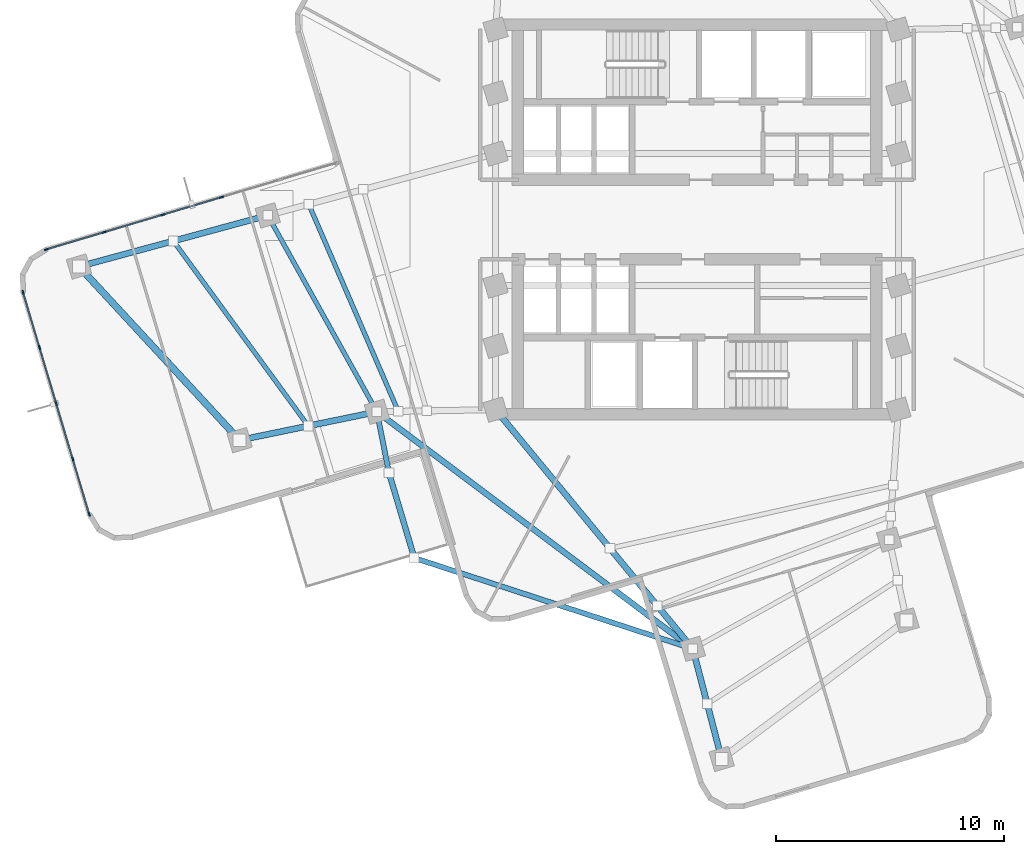
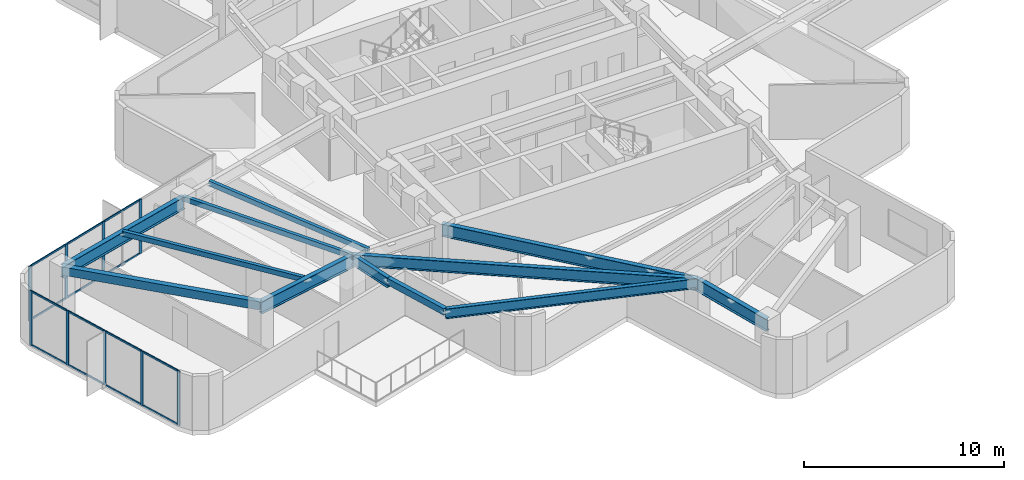
# One storey, part 2 of 11: 23 members, 12 beams, 2 elements without a shape of their own.
"""IFC4 building model written with IfcOpenShell, lengths in metres."""

from ifc_helpers import new_model, si_unit, direction, frame, origin, origin_2d, place, context, subcontext, project, spatial, rectangle, hollow_rectangle, i_section, extrude, material, layer, layer_set, material_profile, profile_set, type_object, element, aggregate, save


model = new_model("IFC4")

# Units and contexts
model_context = context("Model", 3, precision=1e-05, world=origin(), true_north=direction((0.0, 1.0)))
body_context = subcontext(model_context, "Body", "Model", "MODEL_VIEW")
ifc_project = project(units=[si_unit("LENGTHUNIT", "METRE"), si_unit("AREAUNIT", "SQUARE_METRE"), si_unit("VOLUMEUNIT", "CUBIC_METRE"), si_unit("PLANEANGLEUNIT", "RADIAN"), si_unit("MASSUNIT", "GRAM", prefix="KILO")], contexts=[model_context])

# Site, building, storey
site_placement = place(None, origin())
site = spatial("IfcSite", under=ifc_project, at=site_placement, CompositionType="ELEMENT")
building_placement = place(site_placement, origin())
building = spatial("IfcBuilding", under=site, at=building_placement, Name="Solmarez Civic Tower", CompositionType="ELEMENT")
storey_placement = place(building_placement, frame((0.0, 0.0, 141.47998046875)))
storey = spatial("IfcBuildingStorey", under=building, at=storey_placement, Name="L37", CompositionType="ELEMENT", Elevation=141.47998046875)

# Beams
ifc_material_1 = material(Name="Steel S355", Category="steel")
ifc_material_profile_1 = material_profile(ifc_material_1, hollow_rectangle(XDim=0.199951171875, YDim=0.300048828125, WallThickness=0.011962890625, at=origin_2d()), Name="HSS300X200X12")
ifc_profile_set_1 = profile_set([ifc_material_profile_1], Name="Steel S355")
beam_type_1 = type_object("IfcBeamType", Name="BM-JS-HSS300X200", PredefinedType="JOIST", material=ifc_profile_set_1)
beam_1_placement = place(storey_placement, frame((-18.860107421875, 0.18310546875, 3.169921875), z_axis=(0.485852902718, -0.874040592261, 0.0), x_axis=(0.874040592261, 0.485852902718, 0.0)))
element("IfcBeam", 1, at=beam_1_placement, inside=storey, type_object=beam_type_1, Name="L37 Secondary Floor Joist BM-L37-WA-T1", PredefinedType="JOIST", context=body_context, shape_type="SweptSolid", body=[
    extrude(hollow_rectangle(XDim=0.199951171875, YDim=0.300048828125, WallThickness=0.011962890625, at=origin_2d()), origin(), (0.0, 0.0, 1.0), 9.87158203125),
])
beam_2_placement = place(storey_placement, frame((-23.006103515625, -0.94091796875, 3.169921875), z_axis=(0.589058914091, -0.808090091345, 0.0), x_axis=(0.808090091345, 0.589058914091, 0.0)))
element("IfcBeam", 2, at=beam_2_placement, inside=storey, type_object=beam_type_1, Name="L37 Secondary Floor Joist JS-L37-WA-M2", PredefinedType="JOIST", context=body_context, shape_type="SweptSolid", body=[
    extrude(hollow_rectangle(XDim=0.199951171875, YDim=0.300048828125, WallThickness=0.011962890625, at=origin_2d()), origin(), (0.0, 0.0, 1.0), 10.05859375),
])
beam_3_placement = place(storey_placement, frame((-17.05810546875, 0.672119140625, 3.169921875), z_axis=(0.396735074316, -0.917933157048, 0.0), x_axis=(0.917933157048, 0.396735074316, 0.0)))
element("IfcBeam", 3, at=beam_3_placement, inside=storey, type_object=beam_type_1, Name="L37 Secondary Floor Joist JS-L37-WA-M12", PredefinedType="JOIST", context=body_context, shape_type="SweptSolid", body=[
    extrude(hollow_rectangle(XDim=0.199951171875, YDim=0.300048828125, WallThickness=0.011962890625, at=origin_2d()), origin(), (0.0, 0.0, 1.0), 9.91357421875),
])
ifc_material_profile_2 = material_profile(ifc_material_1, i_section(OverallWidth=0.25390625, OverallDepth=0.68798828125, WebThickness=0.01318359375, FlangeThickness=0.02099609375, at=origin_2d()), Name="W27X102")
ifc_profile_set_2 = profile_set([ifc_material_profile_2], Name="Steel S355")
beam_type_2 = type_object("IfcBeamType", Name="BM-PR-W27X102", PredefinedType="BEAM", material=ifc_profile_set_2)
beam_4_placement = place(storey_placement, frame((-14.06396484375, -8.445068359375, 2.97607421875), z_axis=(0.799878431775, -0.600162056766, 0.0), x_axis=(0.600162056766, 0.799878431775, 0.0)))
element("IfcBeam", 4, at=beam_4_placement, inside=storey, type_object=beam_type_2, Name="L37 Primary Floor Beam BM-L37-BALC-SWC", PredefinedType="BEAM", context=body_context, shape_type="SweptSolid", body=[
    extrude(i_section(OverallWidth=0.25390625, OverallDepth=0.68798828125, WebThickness=0.01318359375, FlangeThickness=0.02099609375, at=origin_2d()), origin(), (0.0, 0.0, 1.0), 17.353759765625),
])
ifc_material_profile_3 = material_profile(ifc_material_1, i_section(OverallWidth=0.26708984375, OverallDepth=0.761962890625, WebThickness=0.014404296875, FlangeThickness=0.021484375, at=origin_2d()), Name="W30X116")
ifc_profile_set_3 = profile_set([ifc_material_profile_3], Name="Steel S355")
beam_type_3 = type_object("IfcBeamType", Name="BM-PR-W30X116", PredefinedType="BEAM", material=ifc_profile_set_3)
beam_5_placement = place(storey_placement, frame((-18.860107421875, 0.18310546875, 2.93896484375), z_axis=(-0.965195296066, -0.261530190326, 0.0), x_axis=(0.261530190326, -0.965195296066, 0.0)))
element("IfcBeam", 5, at=beam_5_placement, inside=storey, type_object=beam_type_3, Name="L37 Primary Floor Beam BM-L37-WA-R2A", PredefinedType="BEAM", context=body_context, shape_type="SweptSolid", body=[
    extrude(i_section(OverallWidth=0.26708984375, OverallDepth=0.761962890625, WebThickness=0.014404296875, FlangeThickness=0.021484375, at=origin_2d()), origin(), (0.0, 0.0, 1.0), 8.592041015625),
])
beam_6_placement = place(storey_placement, frame((-14.06396484375, -8.445068359375, 2.93896484375), z_axis=(-0.979311082476, -0.202360578523, 0.0), x_axis=(0.202360578523, -0.979311082476, 0.0)))
element("IfcBeam", 6, at=beam_6_placement, inside=storey, type_object=beam_type_3, Name="L37 Primary Floor Beam BM-L37-WA-R2B", PredefinedType="BEAM", context=body_context, shape_type="SweptSolid", body=[
    extrude(i_section(OverallWidth=0.26708984375, OverallDepth=0.761962890625, WebThickness=0.014404296875, FlangeThickness=0.021484375, at=origin_2d()), origin(), (0.0, 0.0, 1.0), 6.161376953125),
])
beam_7_placement = place(storey_placement, frame((-8.85009765625, -8.35009765625, 2.93896484375), z_axis=(0.636218453069, -0.77150896299, 0.0), x_axis=(0.77150896299, 0.636218453069, 0.0)))
element("IfcBeam", 7, at=beam_7_placement, inside=storey, type_object=beam_type_3, Name="L37 Primary Floor Beam BM-L37-SA-R1A", PredefinedType="BEAM", context=body_context, shape_type="SweptSolid", body=[
    extrude(i_section(OverallWidth=0.26708984375, OverallDepth=0.761962890625, WebThickness=0.014404296875, FlangeThickness=0.021484375, at=origin_2d()), origin(), (0.0, 0.0, 1.0), 13.62255859375),
])
beam_8_placement = place(storey_placement, frame((-0.18310546875, -18.860107421875, 2.93896484375), z_axis=(0.253228832632, -0.967406408043, 0.0), x_axis=(0.967406408043, 0.253228832632, 0.0)))
element("IfcBeam", 8, at=beam_8_placement, inside=storey, type_object=beam_type_3, Name="L37 Primary Floor Beam BM-L37-SA-R2A", PredefinedType="BEAM", context=body_context, shape_type="SweptSolid", body=[
    extrude(i_section(OverallWidth=0.26708984375, OverallDepth=0.761962890625, WebThickness=0.014404296875, FlangeThickness=0.021484375, at=origin_2d()), origin(), (0.0, 0.0, 1.0), 5.0),
])
ifc_material_profile_4 = material_profile(ifc_material_1, hollow_rectangle(XDim=0.25, YDim=0.39990234375, WallThickness=0.01611328125, at=origin_2d()), Name="HSS400X250X16")
ifc_profile_set_4 = profile_set([ifc_material_profile_4], Name="Steel S355")
beam_type_4 = type_object("IfcBeamType", Name="BM-SP-HSS400X250", PredefinedType="SPANDREL", material=ifc_profile_set_4)
beam_9_placement = place(storey_placement, frame((-13.533935546875, -11.1298828125, 3.1201171875), z_axis=(0.285607467662, -0.958346688008, 0.0), x_axis=(0.958346688008, 0.285607467662, 0.0)))
element("IfcBeam", 9, at=beam_9_placement, inside=storey, type_object=beam_type_4, Name="L37 Perimeter Spandrel Beam BM-L37-BALC-SWE", PredefinedType="SPANDREL", context=body_context, shape_type="SweptSolid", body=[
    extrude(hollow_rectangle(XDim=0.25, YDim=0.39990234375, WallThickness=0.01611328125, at=origin_2d()), origin(), (0.0, 0.0, 1.0), 3.900390625),
])
ifc_material_profile_5 = material_profile(ifc_material_1, hollow_rectangle(XDim=0.300048828125, YDim=0.5, WallThickness=0.02001953125, at=origin_2d()), Name="HSS500X300X20")
ifc_profile_set_5 = profile_set([ifc_material_profile_5], Name="Steel S355")
beam_type_5 = type_object("IfcBeamType", Name="BM-SP-HSS500X300", PredefinedType="SPANDREL", material=ifc_profile_set_5)
beam_10_placement = place(storey_placement, frame((-27.153076171875, -2.06396484375, 3.070068359375), z_axis=(0.679007792344, -0.734131063187, 0.0), x_axis=(0.734131063187, 0.679007792344, 0.0)))
element("IfcBeam", 10, at=beam_10_placement, inside=storey, type_object=beam_type_5, Name="L37 Perimeter Spandrel Beam BM-L37-WA-T2", PredefinedType="SPANDREL", context=body_context, shape_type="SweptSolid", body=[
    extrude(hollow_rectangle(XDim=0.300048828125, YDim=0.5, WallThickness=0.02001953125, at=origin_2d()), origin(), (0.0, 0.0, 1.0), 10.390380859375),
])
ifc_material_profile_6 = material_profile(ifc_material_1, i_section(OverallWidth=0.22900390625, OverallDepth=0.612060546875, WebThickness=0.011962890625, FlangeThickness=0.01953125, at=origin_2d()), Name="W24X84")
ifc_profile_set_6 = profile_set([ifc_material_profile_6], Name="Steel S355")
beam_type_6 = type_object("IfcBeamType", Name="BM-SP-W24X84", PredefinedType="SPANDREL", material=ifc_profile_set_6)
beam_11_placement = place(storey_placement, frame((-14.06396484375, -8.445068359375, 3.013916015625), z_axis=(0.19367935475, -0.981064884472, 0.0), x_axis=(0.981064884472, 0.19367935475, 0.0)))
element("IfcBeam", 11, at=beam_11_placement, inside=storey, type_object=beam_type_6, Name="L37 Perimeter Spandrel Beam BM-L37-BALC-SW1", PredefinedType="SPANDREL", context=body_context, shape_type="SweptSolid", body=[
    extrude(i_section(OverallWidth=0.22900390625, OverallDepth=0.612060546875, WebThickness=0.011962890625, FlangeThickness=0.01953125, at=origin_2d()), origin(), (0.0, 0.0, 1.0), 2.736572265625),
])
beam_12_placement = place(storey_placement, frame((-0.18310546875, -18.860107421875, 3.013916015625), z_axis=(-0.950685834531, 0.310155515866, 0.0), x_axis=(-0.310155515866, -0.950685834531, 0.0)))
element("IfcBeam", 12, at=beam_12_placement, inside=storey, type_object=beam_type_6, Name="L37 Perimeter Spandrel Beam BM-L37-BALC-SW2", PredefinedType="SPANDREL", context=body_context, shape_type="SweptSolid", body=[
    extrude(i_section(OverallWidth=0.22900390625, OverallDepth=0.612060546875, WebThickness=0.011962890625, FlangeThickness=0.01953125, at=origin_2d()), origin(), (0.0, 0.0, 1.0), 12.87158203125),
])

# Curtain wall, members
ifc_material_2 = material(Name="Bronze Anodised Aluminium EN AW-6063 T6", Category="aluminium")
ifc_layer = layer(ifc_material_2, 0.155029296875)
ifc_layer_set = layer_set([ifc_layer], Name="Bronze Anodised Aluminium EN AW-6063 T6")
curtain_wall_type = type_object("IfcCurtainWallType", Name="CW-SYS-6", PredefinedType="NOTDEFINED", material=ifc_layer_set)
curtain_wall_1_placement = place(storey_placement, origin())
curtain_wall_1 = element("IfcCurtainWall", 13, at=curtain_wall_1_placement, inside=storey, type_object=curtain_wall_type, Name="L37 Stick-Built Curtain Wall 1", PredefinedType="NOTDEFINED")
ifc_material_profile_7 = material_profile(ifc_material_2, rectangle(XDim=0.070068359375, YDim=0.179931640625, at=origin_2d()), Name="CWM-70X180")
ifc_profile_set_7 = profile_set([ifc_material_profile_7], Name="Bronze Anodised Aluminium EN AW-6063 T6")
member_type_1 = type_object("IfcMemberType", Name="CWM-TYPE-2", PredefinedType="MULLION", material=ifc_profile_set_7)
member_1_placement = place(storey_placement, frame((-26.705078125, -12.944580078125, 0.0), z_axis=(0.0, 0.0, 1.0), x_axis=(-0.958314031615, -0.285717022263, 0.0)))
member_1 = element("IfcMember", 14, at=member_1_placement, type_object=member_type_1, Name="CWS6 mullion 1", PredefinedType="MULLION", context=body_context, shape_type="SweptSolid", body=[
    extrude(rectangle(XDim=0.070068359375, YDim=0.179931640625, at=origin_2d()), origin(), (0.0, 0.0, 1.0), 3.320068359375),
])
member_2_placement = place(storey_placement, frame((-27.426513671875, -10.5244140625, 0.0), z_axis=(0.0, 0.0, 1.0), x_axis=(-0.958314031615, -0.285717022263, 0.0)))
member_2 = element("IfcMember", 15, at=member_2_placement, type_object=member_type_1, Name="CWS6 mullion 2", PredefinedType="MULLION", context=body_context, shape_type="SweptSolid", body=[
    extrude(rectangle(XDim=0.070068359375, YDim=0.179931640625, at=origin_2d()), origin(), (0.0, 0.0, 1.0), 3.320068359375),
])
member_3_placement = place(storey_placement, frame((-28.157958984375, -8.071044921875, 0.0), z_axis=(0.0, 0.0, 1.0), x_axis=(-0.958314031615, -0.285717022263, 0.0)))
member_3 = element("IfcMember", 16, at=member_3_placement, type_object=member_type_1, Name="CWS6 mullion 3", PredefinedType="MULLION", context=body_context, shape_type="SweptSolid", body=[
    extrude(rectangle(XDim=0.070068359375, YDim=0.179931640625, at=origin_2d()), origin(), (0.0, 0.0, 1.0), 3.320068359375),
])
member_4_placement = place(storey_placement, frame((-28.889404296875, -5.617431640625, 0.0), z_axis=(0.0, 0.0, 1.0), x_axis=(-0.958314031615, -0.285717022263, 0.0)))
member_4 = element("IfcMember", 17, at=member_4_placement, type_object=member_type_1, Name="CWS6 mullion 4", PredefinedType="MULLION", context=body_context, shape_type="SweptSolid", body=[
    extrude(rectangle(XDim=0.070068359375, YDim=0.179931640625, at=origin_2d()), origin(), (0.0, 0.0, 1.0), 3.320068359375),
])
member_5_placement = place(storey_placement, frame((-29.611083984375, -3.197509765625, 0.0), z_axis=(0.0, 0.0, 1.0), x_axis=(-0.958314031615, -0.285717022263, 0.0)))
member_5 = element("IfcMember", 18, at=member_5_placement, type_object=member_type_1, Name="CWS6 mullion 5", PredefinedType="MULLION", context=body_context, shape_type="SweptSolid", body=[
    extrude(rectangle(XDim=0.070068359375, YDim=0.179931640625, at=origin_2d()), origin(), (0.0, 0.0, 1.0), 3.320068359375),
])

curtain_wall_2_placement = place(storey_placement, origin())
curtain_wall_2 = element("IfcCurtainWall", 19, at=curtain_wall_2_placement, inside=storey, type_object=curtain_wall_type, Name="L37 Stick-Built Curtain Wall 2", PredefinedType="NOTDEFINED")
member_6_placement = place(storey_placement, frame((-28.592529296875, -1.31298828125, 0.0), z_axis=(0.0, 0.0, 1.0), x_axis=(-0.285615980492, 0.958344150964, 0.0)))
member_6 = element("IfcMember", 20, at=member_6_placement, type_object=member_type_1, Name="CWS6 mullion 1", PredefinedType="MULLION", context=body_context, shape_type="SweptSolid", body=[
    extrude(rectangle(XDim=0.070068359375, YDim=0.179931640625, at=origin_2d()), origin(), (0.0, 0.0, 1.0), 3.320068359375),
])
member_7_placement = place(storey_placement, frame((-26.04638671875, -0.55419921875, 0.0), z_axis=(0.0, 0.0, 1.0), x_axis=(-0.285615980492, 0.958344150964, 0.0)))
member_7 = element("IfcMember", 21, at=member_7_placement, type_object=member_type_1, Name="CWS6 mullion 2", PredefinedType="MULLION", context=body_context, shape_type="SweptSolid", body=[
    extrude(rectangle(XDim=0.070068359375, YDim=0.179931640625, at=origin_2d()), origin(), (0.0, 0.0, 1.0), 3.320068359375),
])
member_8_placement = place(storey_placement, frame((-23.466796875, 0.214599609375, 0.0), z_axis=(0.0, 0.0, 1.0), x_axis=(-0.285615980492, 0.958344150964, 0.0)))
member_8 = element("IfcMember", 22, at=member_8_placement, type_object=member_type_1, Name="CWS6 mullion 3", PredefinedType="MULLION", context=body_context, shape_type="SweptSolid", body=[
    extrude(rectangle(XDim=0.070068359375, YDim=0.179931640625, at=origin_2d()), origin(), (0.0, 0.0, 1.0), 3.320068359375),
])
member_9_placement = place(storey_placement, frame((-20.88720703125, 0.9833984375, 0.0), z_axis=(0.0, 0.0, 1.0), x_axis=(-0.285615980492, 0.958344150964, 0.0)))
member_9 = element("IfcMember", 23, at=member_9_placement, type_object=member_type_1, Name="CWS6 mullion 4", PredefinedType="MULLION", context=body_context, shape_type="SweptSolid", body=[
    extrude(rectangle(XDim=0.070068359375, YDim=0.179931640625, at=origin_2d()), origin(), (0.0, 0.0, 1.0), 3.320068359375),
])

# Member
ifc_material_profile_8 = material_profile(ifc_material_2, rectangle(XDim=0.06005859375, YDim=0.110107421875, at=origin_2d()), Name="CWT-60X110")
ifc_profile_set_8 = profile_set([ifc_material_profile_8], Name="Bronze Anodised Aluminium EN AW-6063 T6")
member_type_2 = type_object("IfcMemberType", Name="CWT-TYPE-3", PredefinedType="USERDEFINED", material=ifc_profile_set_8)
member_10_placement = place(storey_placement, frame((-26.715087890625, -12.910888671875, 0.030029296875), z_axis=(-0.285696177938, 0.95832024601, 0.0), x_axis=(-0.95832024601, -0.285696177938, 0.0)))
member_10 = element("IfcMember", 24, at=member_10_placement, type_object=member_type_2, Name="CWS6 transom 1.1", ObjectType="TRANSOM", PredefinedType="USERDEFINED", context=body_context, shape_type="SweptSolid", body=[
    extrude(rectangle(XDim=0.06005859375, YDim=0.110107421875, at=origin_2d()), origin(), (0.0, 0.0, 1.0), 2.455078125),
])

member_11_placement = place(storey_placement, frame((-26.715087890625, -12.910888671875, 3.2900390625), z_axis=(-0.285696177938, 0.95832024601, 0.0), x_axis=(-0.95832024601, -0.285696177938, 0.0)))
member_11 = element("IfcMember", 25, at=member_11_placement, type_object=member_type_2, Name="CWS6 transom 1.2", ObjectType="TRANSOM", PredefinedType="USERDEFINED", context=body_context, shape_type="SweptSolid", body=[
    extrude(rectangle(XDim=0.06005859375, YDim=0.110107421875, at=origin_2d()), origin(), (0.0, 0.0, 1.0), 2.455078125),
])

member_12_placement = place(storey_placement, frame((-27.4365234375, -10.490966796875, 0.030029296875), z_axis=(-0.285683499791, 0.958324025551, 0.0), x_axis=(-0.958324025551, -0.285683499791, 0.0)))
member_12 = element("IfcMember", 26, at=member_12_placement, type_object=member_type_2, Name="CWS6 transom 2.1", ObjectType="TRANSOM", PredefinedType="USERDEFINED", context=body_context, shape_type="SweptSolid", body=[
    extrude(rectangle(XDim=0.06005859375, YDim=0.110107421875, at=origin_2d()), origin(), (0.0, 0.0, 1.0), 2.490234375),
])

member_13_placement = place(storey_placement, frame((-27.4365234375, -10.490966796875, 3.2900390625), z_axis=(-0.285683499791, 0.958324025551, 0.0), x_axis=(-0.958324025551, -0.285683499791, 0.0)))
member_13 = element("IfcMember", 27, at=member_13_placement, type_object=member_type_2, Name="CWS6 transom 2.2", ObjectType="TRANSOM", PredefinedType="USERDEFINED", context=body_context, shape_type="SweptSolid", body=[
    extrude(rectangle(XDim=0.06005859375, YDim=0.110107421875, at=origin_2d()), origin(), (0.0, 0.0, 1.0), 2.490234375),
])

member_14_placement = place(storey_placement, frame((-28.16796875, -8.037353515625, 0.030029296875), z_axis=(-0.285710342858, 0.958316023024, 0.0), x_axis=(-0.958316023024, -0.285710342858, 0.0)))
member_14 = element("IfcMember", 28, at=member_14_placement, type_object=member_type_2, Name="CWS6 transom 3.1", ObjectType="TRANSOM", PredefinedType="USERDEFINED", context=body_context, shape_type="SweptSolid", body=[
    extrude(rectangle(XDim=0.06005859375, YDim=0.110107421875, at=origin_2d()), origin(), (0.0, 0.0, 1.0), 2.489990234375),
])

member_15_placement = place(storey_placement, frame((-28.16796875, -8.037353515625, 3.2900390625), z_axis=(-0.285710342858, 0.958316023024, 0.0), x_axis=(-0.958316023024, -0.285710342858, 0.0)))
member_15 = element("IfcMember", 29, at=member_15_placement, type_object=member_type_2, Name="CWS6 transom 3.2", ObjectType="TRANSOM", PredefinedType="USERDEFINED", context=body_context, shape_type="SweptSolid", body=[
    extrude(rectangle(XDim=0.06005859375, YDim=0.110107421875, at=origin_2d()), origin(), (0.0, 0.0, 1.0), 2.489990234375),
])

member_16_placement = place(storey_placement, frame((-28.8994140625, -5.583984375, 0.030029296875), z_axis=(-0.28578749914, 0.958293016428, 0.0), x_axis=(-0.958293016428, -0.28578749914, 0.0)))
member_16 = element("IfcMember", 30, at=member_16_placement, type_object=member_type_2, Name="CWS6 transom 4.1", ObjectType="TRANSOM", PredefinedType="USERDEFINED", context=body_context, shape_type="SweptSolid", body=[
    extrude(rectangle(XDim=0.06005859375, YDim=0.110107421875, at=origin_2d()), origin(), (0.0, 0.0, 1.0), 2.455078125),
])

member_17_placement = place(storey_placement, frame((-28.8994140625, -5.583984375, 3.2900390625), z_axis=(-0.28578749914, 0.958293016428, 0.0), x_axis=(-0.958293016428, -0.28578749914, 0.0)))
member_17 = element("IfcMember", 31, at=member_17_placement, type_object=member_type_2, Name="CWS6 transom 4.2", ObjectType="TRANSOM", PredefinedType="USERDEFINED", context=body_context, shape_type="SweptSolid", body=[
    extrude(rectangle(XDim=0.06005859375, YDim=0.110107421875, at=origin_2d()), origin(), (0.0, 0.0, 1.0), 2.455078125),
])

aggregate(curtain_wall_1, [member_1, member_2, member_3, member_4, member_5, member_10, member_11, member_12, member_13, member_14, member_15, member_16, member_17])

member_18_placement = place(storey_placement, frame((-28.558837890625, -1.302978515625, 0.030029296875), z_axis=(0.958349414535, 0.28559831873, 0.0), x_axis=(-0.28559831873, 0.958349414535, 0.0)))
member_18 = element("IfcMember", 32, at=member_18_placement, type_object=member_type_2, Name="CWS6 transom 1.1", ObjectType="TRANSOM", PredefinedType="USERDEFINED", context=body_context, shape_type="SweptSolid", body=[
    extrude(rectangle(XDim=0.06005859375, YDim=0.110107421875, at=origin_2d()), origin(), (0.0, 0.0, 1.0), 2.586669921875),
])

member_19_placement = place(storey_placement, frame((-28.558837890625, -1.302978515625, 3.2900390625), z_axis=(0.958349414535, 0.28559831873, 0.0), x_axis=(-0.28559831873, 0.958349414535, 0.0)))
member_19 = element("IfcMember", 33, at=member_19_placement, type_object=member_type_2, Name="CWS6 transom 1.2", ObjectType="TRANSOM", PredefinedType="USERDEFINED", context=body_context, shape_type="SweptSolid", body=[
    extrude(rectangle(XDim=0.06005859375, YDim=0.110107421875, at=origin_2d()), origin(), (0.0, 0.0, 1.0), 2.586669921875),
])

member_20_placement = place(storey_placement, frame((-26.012939453125, -0.544189453125, 0.030029296875), z_axis=(0.958352612172, 0.285587588567, 0.0), x_axis=(-0.285587588567, 0.958352612172, 0.0)))
member_20 = element("IfcMember", 34, at=member_20_placement, type_object=member_type_2, Name="CWS6 transom 2.1", ObjectType="TRANSOM", PredefinedType="USERDEFINED", context=body_context, shape_type="SweptSolid", body=[
    extrude(rectangle(XDim=0.06005859375, YDim=0.110107421875, at=origin_2d()), origin(), (0.0, 0.0, 1.0), 2.621826171875),
])

member_21_placement = place(storey_placement, frame((-26.012939453125, -0.544189453125, 3.2900390625), z_axis=(0.958352612172, 0.285587588567, 0.0), x_axis=(-0.285587588567, 0.958352612172, 0.0)))
member_21 = element("IfcMember", 35, at=member_21_placement, type_object=member_type_2, Name="CWS6 transom 2.2", ObjectType="TRANSOM", PredefinedType="USERDEFINED", context=body_context, shape_type="SweptSolid", body=[
    extrude(rectangle(XDim=0.06005859375, YDim=0.110107421875, at=origin_2d()), origin(), (0.0, 0.0, 1.0), 2.621826171875),
])

member_22_placement = place(storey_placement, frame((-23.433349609375, 0.224609375, 0.030029296875), z_axis=(0.958352612172, 0.285587588567, 0.0), x_axis=(-0.285587588567, 0.958352612172, 0.0)))
member_22 = element("IfcMember", 36, at=member_22_placement, type_object=member_type_2, Name="CWS6 transom 3.1", ObjectType="TRANSOM", PredefinedType="USERDEFINED", context=body_context, shape_type="SweptSolid", body=[
    extrude(rectangle(XDim=0.06005859375, YDim=0.110107421875, at=origin_2d()), origin(), (0.0, 0.0, 1.0), 2.621826171875),
])

member_23_placement = place(storey_placement, frame((-23.433349609375, 0.224609375, 3.2900390625), z_axis=(0.958352612172, 0.285587588567, 0.0), x_axis=(-0.285587588567, 0.958352612172, 0.0)))
member_23 = element("IfcMember", 37, at=member_23_placement, type_object=member_type_2, Name="CWS6 transom 3.2", ObjectType="TRANSOM", PredefinedType="USERDEFINED", context=body_context, shape_type="SweptSolid", body=[
    extrude(rectangle(XDim=0.06005859375, YDim=0.110107421875, at=origin_2d()), origin(), (0.0, 0.0, 1.0), 2.621826171875),
])

aggregate(curtain_wall_2, [member_6, member_7, member_8, member_9, member_18, member_19, member_20, member_21, member_22, member_23])

save(model, "model.ifc")
